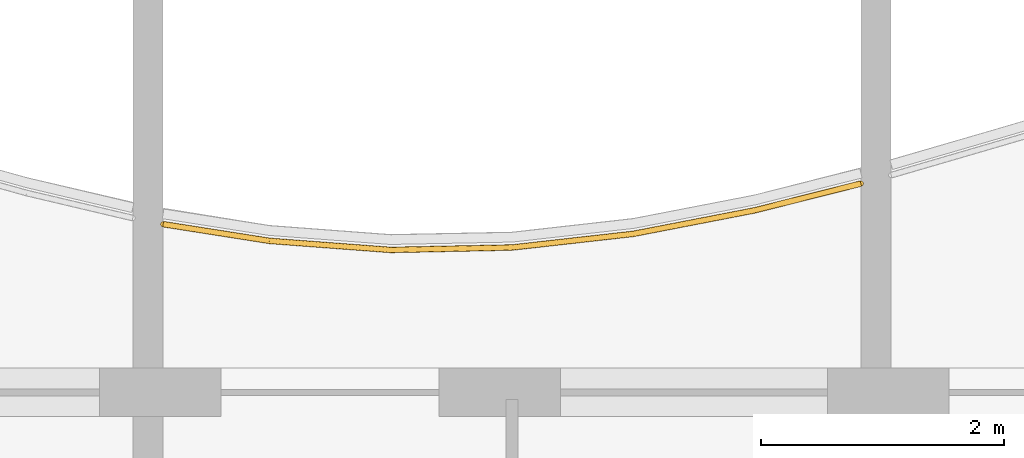
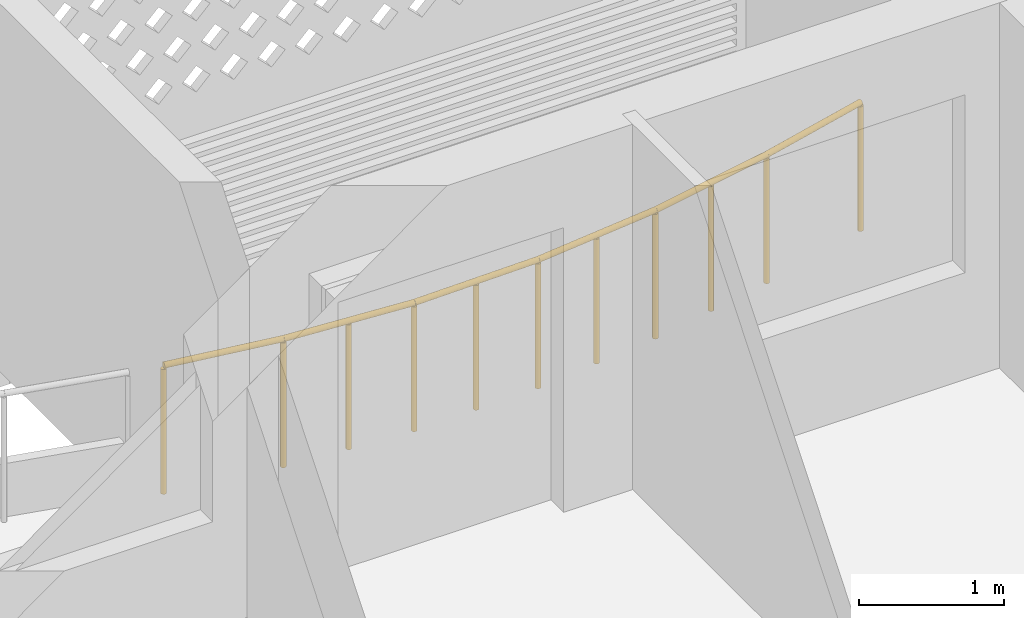
# One storey, part 23 of 28: 1 railing.
"""IFC4 building model written with IfcOpenShell, lengths in metres."""

from ifc_helpers import new_model, si_unit, direction, frame, origin, origin_2d, place, context, subcontext, project, spatial, circle, extrude, material, type_object, element, save


model = new_model("IFC4")

# Units and contexts
model_context = context("Model", 3, precision=1e-05, world=origin(), true_north=direction((0.0, 1.0)))
body_context = subcontext(model_context, "Body", "Model", "MODEL_VIEW")
ifc_project = project(units=[si_unit("LENGTHUNIT", "METRE"), si_unit("AREAUNIT", "SQUARE_METRE"), si_unit("VOLUMEUNIT", "CUBIC_METRE"), si_unit("PLANEANGLEUNIT", "RADIAN"), si_unit("MASSUNIT", "GRAM", prefix="KILO")], contexts=[model_context])

# Site, building, storey
site_placement = place(None, origin())
site = spatial("IfcSite", under=ifc_project, at=site_placement, CompositionType="ELEMENT")
building_placement = place(site_placement, origin())
building = spatial("IfcBuilding", under=site, at=building_placement, Name="Poui Terraces", CompositionType="ELEMENT")
storey_placement = place(building_placement, frame((0.0, 0.0, 185.10009765625)))
storey = spatial("IfcBuildingStorey", under=building, at=storey_placement, Name="L51", CompositionType="ELEMENT", Elevation=185.10009765625)

# Railing
ifc_material = material(Name="Painted steel fretwork", Category="steel")
railing_type = type_object("IfcRailingType", Name="BALCONY GUARD 1100", PredefinedType="GUARDRAIL", material=ifc_material)
railing_placement = place(storey_placement, frame((60.125, 42.58642578125, 0.0)))
element("IfcRailing", 1, at=railing_placement, inside=storey, type_object=railing_type, Name="BALCONY GUARD", PredefinedType="GUARDRAIL", context=body_context, shape_type="SweptSolid", body=[
    extrude(circle(Radius=0.02392578125, at=origin_2d()), frame((0.0, 0.0, 1.076171875), z_axis=(0.987885578074, -0.155184034725, 0.0), x_axis=(0.155184034725, 0.987885578074, 0.0)), (0.0, 0.0, 1.0), 0.8857421875),
    extrude(circle(Radius=0.02392578125, at=origin_2d()), frame((0.875, -0.137451171875, 1.076171875), z_axis=(0.997202940152, -0.074741528962, 0.0), x_axis=(0.074741528962, 0.997202940152, 0.0)), (0.0, 0.0, 1.0), 1.002685546875),
    extrude(circle(Radius=0.02392578125, at=origin_2d()), frame((1.875, -0.21240234375, 1.076171875), z_axis=(0.999799669399, 0.020015520725, 0.0), x_axis=(-0.020015520725, 0.999799669399, 0.0)), (0.0, 0.0, 1.0), 1.000244140625),
    extrude(circle(Radius=0.02392578125, at=origin_2d()), frame((2.875, -0.1923828125, 1.076171875), z_axis=(0.993725924527, 0.111842688283, 0.0), x_axis=(-0.111842688283, 0.993725924527, 0.0)), (0.0, 0.0, 1.0), 1.00634765625),
    extrude(circle(Radius=0.02392578125, at=origin_2d()), frame((3.875, -0.079833984375, 1.076171875), z_axis=(0.981724998512, 0.190305090044, 0.0), x_axis=(-0.190305090044, 0.981724998512, 0.0)), (0.0, 0.0, 1.0), 1.0185546875),
    extrude(circle(Radius=0.02392578125, at=origin_2d()), frame((4.875, 0.114013671875, 1.076171875), z_axis=(0.969695230547, 0.244317743634, 0.0), x_axis=(-0.244317743634, 0.969695230547, 0.0)), (0.0, 0.0, 1.0), 0.90234375),
    extrude(circle(Radius=0.02099609375, at=origin_2d()), origin(), (0.0, 0.0, 1.0), 1.052001953125),
    extrude(circle(Radius=0.02099609375, at=origin_2d()), frame((0.875, -0.137451171875, 0.0)), (0.0, 0.0, 1.0), 1.052001953125),
    extrude(circle(Radius=0.02099609375, at=origin_2d()), frame((1.375, -0.1748046875, 0.0)), (0.0, 0.0, 1.0), 1.052001953125),
    extrude(circle(Radius=0.02099609375, at=origin_2d()), frame((1.875, -0.21240234375, 0.0)), (0.0, 0.0, 1.0), 1.052001953125),
    extrude(circle(Radius=0.02099609375, at=origin_2d()), frame((2.375, -0.202392578125, 0.0)), (0.0, 0.0, 1.0), 1.052001953125),
    extrude(circle(Radius=0.02099609375, at=origin_2d()), frame((2.875, -0.1923828125, 0.0)), (0.0, 0.0, 1.0), 1.052001953125),
    extrude(circle(Radius=0.02099609375, at=origin_2d()), frame((3.375, -0.13623046875, 0.0)), (0.0, 0.0, 1.0), 1.052001953125),
    extrude(circle(Radius=0.02099609375, at=origin_2d()), frame((3.875, -0.079833984375, 0.0)), (0.0, 0.0, 1.0), 1.052001953125),
    extrude(circle(Radius=0.02099609375, at=origin_2d()), frame((4.375, 0.01708984375, 0.0)), (0.0, 0.0, 1.0), 1.052001953125),
    extrude(circle(Radius=0.02099609375, at=origin_2d()), frame((4.875, 0.114013671875, 0.0)), (0.0, 0.0, 1.0), 1.052001953125),
    extrude(circle(Radius=0.02099609375, at=origin_2d()), frame((5.75, 0.33447265625, 0.0)), (0.0, 0.0, 1.0), 1.052001953125),
])

save(model, "model.ifc")
